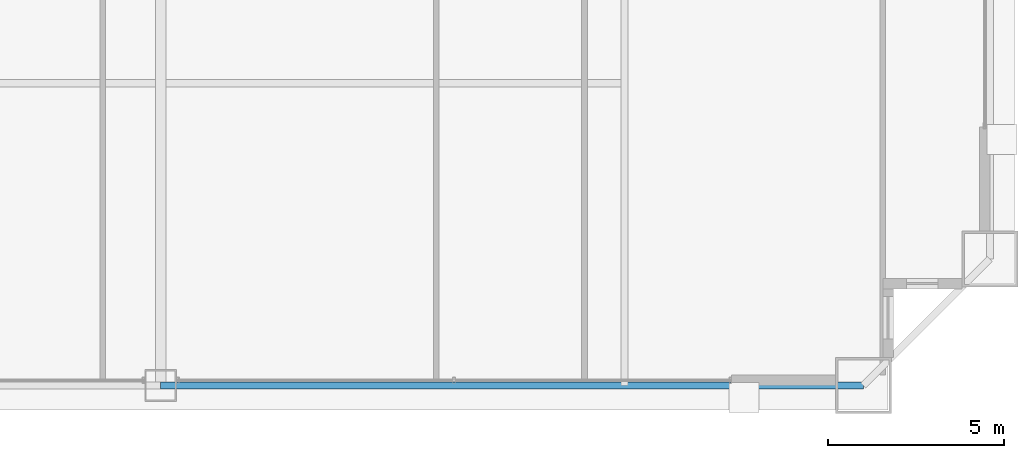
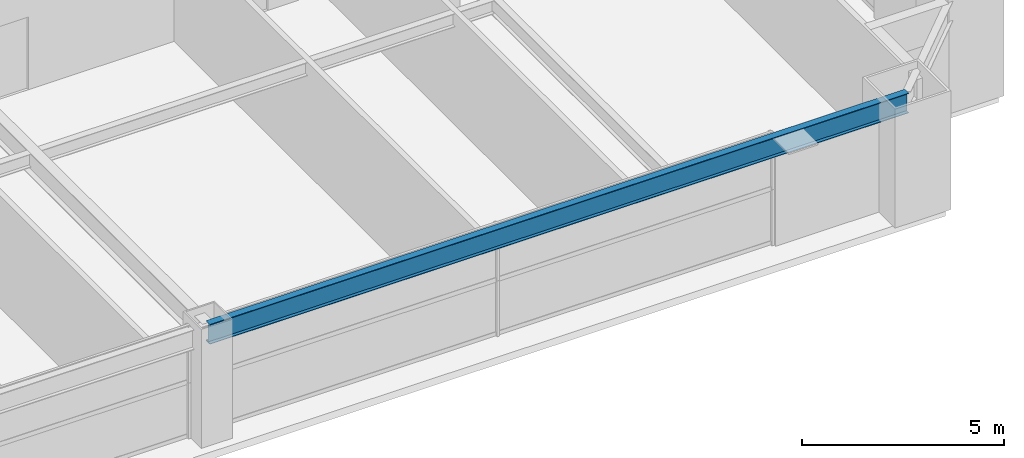
# One storey, part 15 of 39: 1 beam.
"""IFC4 building model written with IfcOpenShell, lengths in metres."""

from ifc_helpers import new_model, si_unit, direction, frame, origin, origin_2d, place, context, subcontext, project, spatial, i_section, extrude, source, transform, mapped, material, material_profile, profile_set, type_object, element, save


model = new_model("IFC4")

# Units and contexts
model_context = context("Model", 3, precision=1e-05, world=origin(), true_north=direction((0.0, 1.0)))
body_context = subcontext(model_context, "Body", "Model", "MODEL_VIEW")
ifc_project = project(units=[si_unit("LENGTHUNIT", "METRE"), si_unit("AREAUNIT", "SQUARE_METRE"), si_unit("VOLUMEUNIT", "CUBIC_METRE"), si_unit("PLANEANGLEUNIT", "RADIAN"), si_unit("MASSUNIT", "GRAM", prefix="KILO"), si_unit("THERMODYNAMICTEMPERATUREUNIT", "KELVIN"), si_unit("POWERUNIT", "WATT")], contexts=[model_context])

# Site, building, storey
site_placement = place(None, origin())
site = spatial("IfcSite", under=ifc_project, at=site_placement, CompositionType="ELEMENT")
building_placement = place(site_placement, origin())
building = spatial("IfcBuilding", under=site, at=building_placement, Name="Yuzanri Waterfront Tower", CompositionType="ELEMENT")
storey_placement = place(building_placement, frame((0.0, 0.0, 148.800048828125)))
storey = spatial("IfcBuildingStorey", under=building, at=storey_placement, Name="L39", CompositionType="ELEMENT", Elevation=148.800048828125)

# Beam
ifc_material = material(Name="Steel Q355B", Category="steel")
ifc_material_profile = material_profile(ifc_material, i_section(OverallWidth=0.199951171875, OverallDepth=0.60009765625, WebThickness=0.010986328125, FlangeThickness=0.01708984375, at=origin_2d()), Name="HN 600x200x11x17")
ifc_profile_set = profile_set([ifc_material_profile], Name="Steel Q355B")
beam_type = type_object("IfcBeamType", Name="Perimeter Spandrel Q355B HN 600x200", PredefinedType="SPANDREL", material=ifc_profile_set)
shared_shape = source(origin(), body_context, "Body", "SweptSolid", [
    extrude(i_section(OverallWidth=0.199951171875, OverallDepth=0.60009765625, WebThickness=0.010986328125, FlangeThickness=0.01708984375, at=origin_2d()), origin(), (0.0, 0.0, 1.0), 20.0),
])
beam_placement = place(storey_placement, frame((37.0, 2.199951171875, 3.079833984375), z_axis=(1.0, 0.0, 0.0), x_axis=(0.0, 1.0, 0.0)))
element("IfcBeam", 1, at=beam_placement, inside=storey, type_object=beam_type, Name="L39 Perimeter Spandrel S2-S3", PredefinedType="SPANDREL", context=body_context, shape_type="MappedRepresentation", body=[
    mapped(shared_shape, transform((0.0, 0.0, 0.0), scale=1.0)),
])

save(model, "model.ifc")
